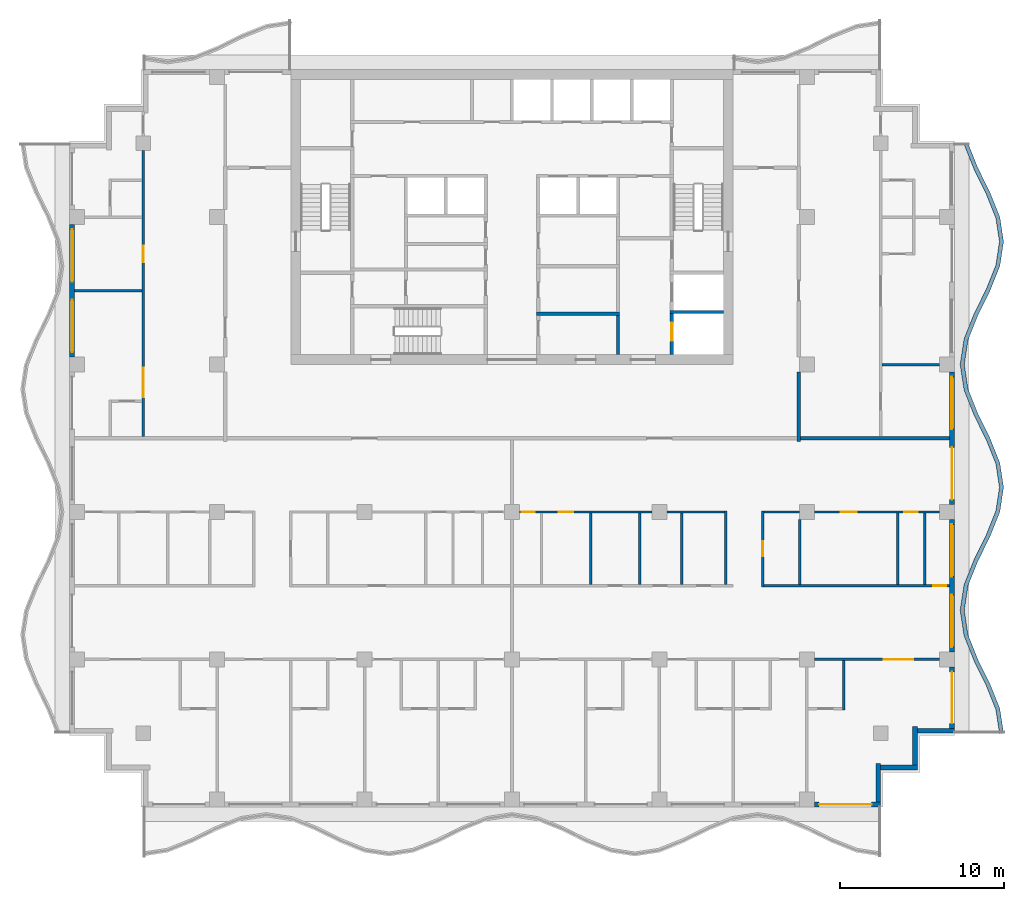
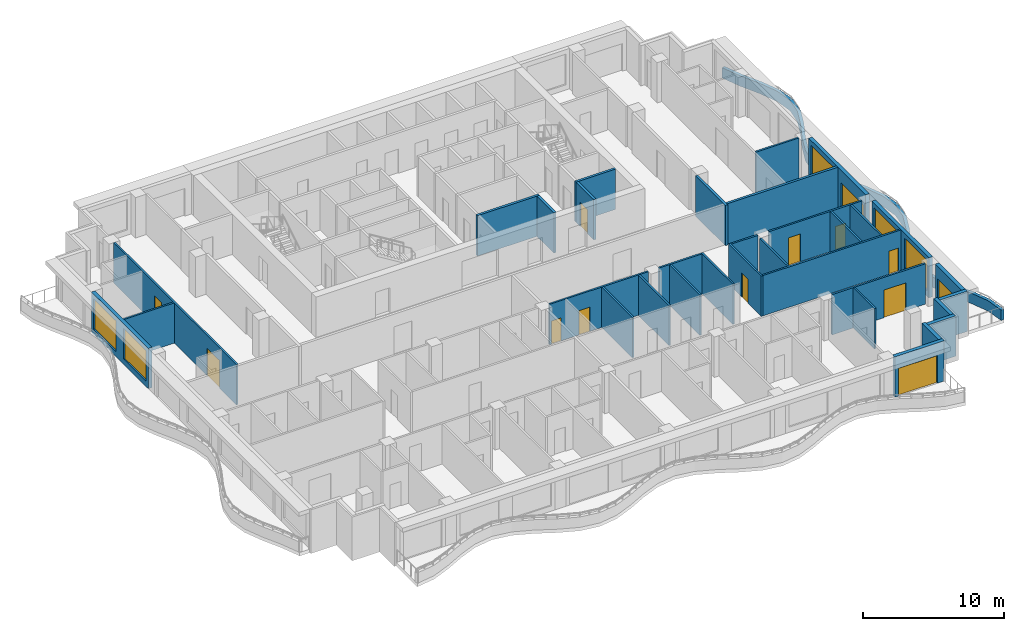
# One storey, part 4 of 11: 34 walls, 13 doors, 5 windows, 18 openings.
"""IFC4 building model written with IfcOpenShell, lengths in metres."""

from ifc_helpers import new_model, si_unit, direction, frame, frame_2d, origin, place, context, subcontext, project, spatial, polyline, rectangle, outline, extrude, material, layer, layer_set, type_object, element, fill, save


model = new_model("IFC4")

# Units and contexts
model_context = context("Model", 3, precision=1e-05, world=origin(), true_north=direction((0.0, 1.0)))
body_context = subcontext(model_context, "Body", "Model", "MODEL_VIEW")
ifc_project = project(units=[si_unit("LENGTHUNIT", "METRE"), si_unit("AREAUNIT", "SQUARE_METRE"), si_unit("VOLUMEUNIT", "CUBIC_METRE"), si_unit("PLANEANGLEUNIT", "RADIAN"), si_unit("MASSUNIT", "GRAM", prefix="KILO")], contexts=[model_context])

# Site, building, storey
site_placement = place(None, origin())
site = spatial("IfcSite", under=ifc_project, at=site_placement, CompositionType="ELEMENT")
building_placement = place(site_placement, origin())
building = spatial("IfcBuilding", under=site, at=building_placement, Name="Orbiselva Terraces", CompositionType="ELEMENT")
storey_placement = place(building_placement, frame((0.0, 0.0, 280.6)))
storey = spatial("IfcBuildingStorey", under=building, at=storey_placement, Name="L71", CompositionType="ELEMENT", Elevation=280.6)

# Walls
ifc_material_1 = material(Name="Concrete C60/75", Category="concrete")
ifc_layer_1 = layer(ifc_material_1, 0.2)
ifc_layer_set_1 = layer_set([ifc_layer_1], Name="Concrete C60/75")
wall_type_1 = type_object("IfcWallType", Name="CORE-WALL-SHEAR-200", PredefinedType="SHEAR", material=ifc_layer_set_1)
wall_1_placement = place(storey_placement, frame((1.5, 7.6, 0.0), z_axis=(0.0, 0.0, 1.0), x_axis=(1.0, 0.0, 0.0)))
element("IfcWall", 1, at=wall_1_placement, inside=storey, type_object=wall_type_1, Name="L71 core wall 28", PredefinedType="SHEAR", context=body_context, shape_type="SweptSolid", body=[
    extrude(rectangle(XDim=5.075, YDim=0.2, at=frame_2d((2.5375, 0.0))), origin(), (0.0, 0.0, 1.0), 3.5),
])
wall_2_placement = place(storey_placement, frame((6.475, 5.1, 0.0), z_axis=(0.0, 0.0, 1.0), x_axis=(0.0, 1.0, 0.0)))
element("IfcWall", 2, at=wall_2_placement, inside=storey, type_object=wall_type_1, Name="L71 core wall 38", PredefinedType="SHEAR", context=body_context, shape_type="SweptSolid", body=[
    extrude(rectangle(XDim=2.4, YDim=0.2, at=frame_2d((1.2, 0.0))), origin(), (0.0, 0.0, 1.0), 3.5),
])

# Wall, opening, door
wall_3_placement = place(storey_placement, frame((9.75, 5.1, 0.0), z_axis=(0.0, 0.0, 1.0), x_axis=(0.0, 1.0, 0.0)))
wall_3 = element("IfcWall", 3, at=wall_3_placement, inside=storey, type_object=wall_type_1, Name="L71 core wall 45", PredefinedType="SHEAR", context=body_context, shape_type="SweptSolid", body=[
    extrude(rectangle(XDim=2.5, YDim=0.2, at=frame_2d((1.25, 0.0))), origin(), (0.0, 0.0, 1.0), 3.5),
])
opening_1_placement = place(wall_3_placement, frame((0.85, 0.0, 0.0)))
opening_1 = element("IfcOpeningElement", 4, at=opening_1_placement, cuts=wall_3, Name="Opening LD-FF1", PredefinedType="OPENING", context=body_context, shape_type="SweptSolid", body=[
    extrude(rectangle(XDim=1.1, YDim=2.1, at=frame_2d((0.55, 1.05))), frame((0.0, 0.11, 0.0), z_axis=(0.0, -1.0, 0.0), x_axis=(1.0, 0.0, 0.0)), (0.0, 0.0, 1.0), 0.22),
])
ifc_material_2 = material(Name="Stainless steel landing door", Category="steel")
door_type_1 = type_object("IfcDoorType", Name="LANDING DOOR 1100", OperationType="SLIDING_TO_LEFT", PredefinedType="DOOR", material=ifc_material_2)
door_1_placement = place(opening_1_placement, origin())
door_1 = element("IfcDoor", 5, at=door_1_placement, inside=storey, type_object=door_type_1, Name="L71 landing door FF1", OperationType="SLIDING_TO_RIGHT", OverallHeight=2.1, OverallWidth=1.1, PredefinedType="DOOR", context=body_context, shape_type="SweptSolid", body=[
    extrude(rectangle(XDim=1.1, YDim=2.1, at=frame_2d((0.55, 1.05))), frame((0.0, 0.025, 0.0), z_axis=(0.0, -1.0, 0.0), x_axis=(1.0, 0.0, 0.0)), (0.0, 0.0, 1.0), 0.05),
])
fill(opening_1, door_1)

# Walls
wall_4_placement = place(storey_placement, frame((9.65, 7.7, 0.0), z_axis=(0.0, 0.0, 1.0), x_axis=(1.0, 0.0, 0.0)))
element("IfcWall", 6, at=wall_4_placement, inside=storey, type_object=wall_type_1, Name="L71 core wall 46", PredefinedType="SHEAR", context=body_context, shape_type="SweptSolid", body=[
    extrude(rectangle(XDim=3.25, YDim=0.2, at=frame_2d((1.625, 0.0))), origin(), (0.0, 0.0, 1.0), 3.5),
])
ifc_material_3 = material(Name="Concrete C40/50", Category="concrete")
ifc_layer_2 = layer(ifc_material_3, 0.25)
ifc_layer_set_2 = layer_set([ifc_layer_2], Name="Concrete C40/50")
wall_type_2 = type_object("IfcWallType", Name="ENV-PLANTER-250x900", PredefinedType="USERDEFINED", material=ifc_layer_set_2)
wall_5_placement = place(storey_placement, origin())
element("IfcWall", 7, at=wall_5_placement, inside=storey, type_object=wall_type_2, Name="Balcony planter L71 E", ObjectType="PLANTER", PredefinedType="USERDEFINED", context=body_context, shape_type="SweptSolid", body=[
    extrude(outline(polyline([(30.0, -18.0), (29.77082, -16.5), (29.17082, -15.0), (28.42918, -13.5), (27.82918, -12.0), (27.6, -10.5), (27.82918, -9.0), (28.42918, -7.5), (29.17082, -6.0), (29.77082, -4.5), (30.0, -3.0), (29.77082, -1.5), (29.17082, 0.0), (28.42918, 1.5), (27.82918, 3.0), (27.6, 4.5), (27.82918, 6.0), (28.42918, 7.5), (29.17082, 9.0), (29.77082, 10.5), (30.0, 12.0), (29.77082, 13.5), (29.17082, 15.0), (28.42918, 16.5), (27.82918, 18.0), (27.597061, 17.907152), (28.200715, 16.398017), (28.942355, 14.898017), (29.528028, 13.433834), (29.747099, 12.0), (29.528028, 10.566166), (28.942355, 9.101983), (28.200715, 7.601983), (27.586388, 6.066166), (27.347099, 4.5), (27.586388, 2.933834), (28.200715, 1.398017), (28.942355, -0.101983), (29.528028, -1.566166), (29.747099, -3.0), (29.528028, -4.433834), (28.942355, -5.898017), (28.200715, -7.398017), (27.586388, -8.933834), (27.347099, -10.5), (27.586388, -12.066166), (28.200715, -13.601983), (28.942355, -15.101983), (29.528028, -16.566166), (29.752868, -18.037758), (30.0, -18.0)])), origin(), (0.0, 0.0, 1.0), 0.9),
])

# Wall, opening, door
ifc_material_4 = material(Name="Terracotta cladding on masonry backing", Category="masonry")
ifc_layer_3 = layer(ifc_material_4, 0.3)
ifc_layer_set_3 = layer_set([ifc_layer_3], Name="Terracotta cladding on masonry backing")
wall_type_3 = type_object("IfcWallType", Name="ENV-WALL-TERRACOTTA-300", PredefinedType="SOLIDWALL", material=ifc_layer_set_3)
wall_6_placement = place(storey_placement, frame((22.5, -22.35, 0.0), z_axis=(0.0, 0.0, 1.0), x_axis=(-1.0, 0.0, 0.0)))
wall_6 = element("IfcWall", 8, at=wall_6_placement, inside=storey, type_object=wall_type_3, Name="Facade wall L71 S", PredefinedType="SOLIDWALL", context=body_context, shape_type="SweptSolid", body=[
    extrude(rectangle(XDim=4.05, YDim=0.3, at=frame_2d((2.025, 0.0))), origin(), (0.0, 0.0, 1.0), 3.5),
])
opening_2_placement = place(wall_6_placement, frame((0.55, 0.0, 0.0)))
opening_2 = element("IfcOpeningElement", 9, at=opening_2_placement, cuts=wall_6, Name="Opening Z5-D-E18", PredefinedType="OPENING", context=body_context, shape_type="SweptSolid", body=[
    extrude(rectangle(XDim=3.2, YDim=2.4, at=frame_2d((1.6, 1.2))), frame((0.0, 0.16, 0.0), z_axis=(0.0, -1.0, 0.0), x_axis=(1.0, 0.0, 0.0)), (0.0, 0.0, 1.0), 0.32),
])
ifc_material_5 = material(Name="Clear low-e glazing in aluminium frame", Category="aluminium")
door_type_2 = type_object("IfcDoorType", Name="BALCONY DOOR 3200 X 2400", OperationType="DOUBLE_DOOR_SLIDING", PredefinedType="DOOR", material=ifc_material_5)
door_2_placement = place(opening_2_placement, origin())
door_2 = element("IfcDoor", 10, at=door_2_placement, inside=storey, type_object=door_type_2, Name="Z5-D-E18", OperationType="SINGLE_SWING_LEFT", OverallHeight=2.4, OverallWidth=3.2, PredefinedType="DOOR", context=body_context, shape_type="SweptSolid", body=[
    extrude(rectangle(XDim=3.2, YDim=2.4, at=frame_2d((1.6, 1.2))), frame((0.0, 0.025, 0.0), z_axis=(0.0, -1.0, 0.0), x_axis=(1.0, 0.0, 0.0)), (0.0, 0.0, 1.0), 0.05),
])
fill(opening_2, door_2)

# Walls
wall_7_placement = place(storey_placement, frame((22.35, -19.85, 0.0), z_axis=(0.0, 0.0, 1.0), x_axis=(0.0, -1.0, 0.0)))
element("IfcWall", 11, at=wall_7_placement, inside=storey, type_object=wall_type_3, Name="Facade wall L71 STEP", PredefinedType="SOLIDWALL", context=body_context, shape_type="SweptSolid", body=[
    extrude(rectangle(XDim=2.35, YDim=0.3, at=frame_2d((1.175, 0.0))), origin(), (0.0, 0.0, 1.0), 3.5),
])
wall_8_placement = place(storey_placement, frame((24.75, -20.1, 0.0), z_axis=(0.0, 0.0, 1.0), x_axis=(-1.0, 0.0, 0.0)))
element("IfcWall", 12, at=wall_8_placement, inside=storey, type_object=wall_type_3, Name="Facade wall L71 STEP", PredefinedType="SOLIDWALL", context=body_context, shape_type="SweptSolid", body=[
    extrude(rectangle(XDim=2.25, YDim=0.3, at=frame_2d((1.125, 0.0))), origin(), (0.0, 0.0, 1.0), 3.5),
])
wall_9_placement = place(storey_placement, frame((24.6, -17.6, 0.0), z_axis=(0.0, 0.0, 1.0), x_axis=(0.0, -1.0, 0.0)))
element("IfcWall", 13, at=wall_9_placement, inside=storey, type_object=wall_type_3, Name="Facade wall L71 STEP", PredefinedType="SOLIDWALL", context=body_context, shape_type="SweptSolid", body=[
    extrude(rectangle(XDim=2.35, YDim=0.3, at=frame_2d((1.175, 0.0))), origin(), (0.0, 0.0, 1.0), 3.5),
])
wall_10_placement = place(storey_placement, frame((27.0, -17.85, 0.0), z_axis=(0.0, 0.0, 1.0), x_axis=(-1.0, 0.0, 0.0)))
element("IfcWall", 14, at=wall_10_placement, inside=storey, type_object=wall_type_3, Name="Facade wall L71 STEP", PredefinedType="SOLIDWALL", context=body_context, shape_type="SweptSolid", body=[
    extrude(rectangle(XDim=2.25, YDim=0.3, at=frame_2d((1.125, 0.0))), origin(), (0.0, 0.0, 1.0), 3.5),
])

# Wall, opening, door
wall_11_placement = place(storey_placement, frame((26.85, -13.95, 0.0), z_axis=(0.0, 0.0, 1.0), x_axis=(0.0, -1.0, 0.0)))
wall_11 = element("IfcWall", 15, at=wall_11_placement, inside=storey, type_object=wall_type_3, Name="Facade wall L71 E", PredefinedType="SOLIDWALL", context=body_context, shape_type="SweptSolid", body=[
    extrude(rectangle(XDim=3.75, YDim=0.3, at=frame_2d((1.875, 0.0))), origin(), (0.0, 0.0, 1.0), 3.5),
])
opening_3_placement = place(wall_11_placement, frame((0.3, 0.0, 0.0)))
opening_3 = element("IfcOpeningElement", 16, at=opening_3_placement, cuts=wall_11, Name="Opening Z5-D-E04", PredefinedType="OPENING", context=body_context, shape_type="SweptSolid", body=[
    extrude(rectangle(XDim=3.15, YDim=2.4, at=frame_2d((1.575, 1.2))), frame((0.0, 0.16, 0.0), z_axis=(0.0, -1.0, 0.0), x_axis=(1.0, 0.0, 0.0)), (0.0, 0.0, 1.0), 0.32),
])
door_type_3 = type_object("IfcDoorType", Name="BALCONY DOOR 3150 X 2400", OperationType="DOUBLE_DOOR_SLIDING", PredefinedType="DOOR", material=ifc_material_5)
door_3_placement = place(opening_3_placement, origin())
door_3 = element("IfcDoor", 17, at=door_3_placement, inside=storey, type_object=door_type_3, Name="Z5-D-E04", OperationType="SINGLE_SWING_LEFT", OverallHeight=2.4, OverallWidth=3.15, PredefinedType="DOOR", context=body_context, shape_type="SweptSolid", body=[
    extrude(rectangle(XDim=3.15, YDim=2.4, at=frame_2d((1.575, 1.2))), frame((0.0, 0.025, 0.0), z_axis=(0.0, -1.0, 0.0), x_axis=(1.0, 0.0, 0.0)), (0.0, 0.0, 1.0), 0.05),
])
fill(opening_3, door_3)

# Wall, openings, windows
wall_12_placement = place(storey_placement, frame((26.85, -4.95, 0.0), z_axis=(0.0, 0.0, 1.0), x_axis=(0.0, -1.0, 0.0)))
wall_12 = element("IfcWall", 18, at=wall_12_placement, inside=storey, type_object=wall_type_3, Name="Facade wall L71 E", PredefinedType="SOLIDWALL", context=body_context, shape_type="SweptSolid", body=[
    extrude(rectangle(XDim=8.1, YDim=0.3, at=frame_2d((4.05, 0.0))), origin(), (0.0, 0.0, 1.0), 3.5),
])
opening_4_placement = place(wall_12_placement, frame((4.6, 0.0, 0.45)))
opening_4 = element("IfcOpeningElement", 19, at=opening_4_placement, cuts=wall_12, Name="Opening WN17", PredefinedType="OPENING", context=body_context, shape_type="SweptSolid", body=[
    extrude(rectangle(XDim=3.2, YDim=2.65, at=frame_2d((1.6, 1.325))), frame((0.0, 0.16, 0.0), z_axis=(0.0, -1.0, 0.0), x_axis=(1.0, 0.0, 0.0)), (0.0, 0.0, 1.0), 0.32),
])
opening_5_placement = place(wall_12_placement, frame((0.3, 0.0, 0.45)))
opening_5 = element("IfcOpeningElement", 20, at=opening_5_placement, cuts=wall_12, Name="Opening WN17", PredefinedType="OPENING", context=body_context, shape_type="SweptSolid", body=[
    extrude(rectangle(XDim=3.2, YDim=2.65, at=frame_2d((1.6, 1.325))), frame((0.0, 0.16, 0.0), z_axis=(0.0, -1.0, 0.0), x_axis=(1.0, 0.0, 0.0)), (0.0, 0.0, 1.0), 0.32),
])
window_type = type_object("IfcWindowType", Name="WINDOW 3200 X 2650 S450", PartitioningType="TRIPLE_PANEL_VERTICAL", PredefinedType="WINDOW", material=ifc_material_5)
window_1_placement = place(opening_4_placement, origin())
window_1 = element("IfcWindow", 21, at=window_1_placement, inside=storey, type_object=window_type, Name="Window L71 E", OverallHeight=2.65, OverallWidth=3.2, PartitioningType="SINGLE_PANEL", PredefinedType="WINDOW", context=body_context, shape_type="SweptSolid", body=[
    extrude(rectangle(XDim=3.2, YDim=2.65, at=frame_2d((1.6, 1.325))), frame((0.0, 0.03, 0.0), z_axis=(0.0, -1.0, 0.0), x_axis=(1.0, 0.0, 0.0)), (0.0, 0.0, 1.0), 0.06),
])
fill(opening_4, window_1)
window_2_placement = place(opening_5_placement, origin())
window_2 = element("IfcWindow", 22, at=window_2_placement, inside=storey, type_object=window_type, Name="Window L71 E", OverallHeight=2.65, OverallWidth=3.2, PartitioningType="SINGLE_PANEL", PredefinedType="WINDOW", context=body_context, shape_type="SweptSolid", body=[
    extrude(rectangle(XDim=3.2, YDim=2.65, at=frame_2d((1.6, 1.325))), frame((0.0, 0.03, 0.0), z_axis=(0.0, -1.0, 0.0), x_axis=(1.0, 0.0, 0.0)), (0.0, 0.0, 1.0), 0.06),
])
fill(opening_5, window_2)

# Wall, openings, door, window
wall_13_placement = place(storey_placement, frame((26.85, 4.05, 0.0), z_axis=(0.0, 0.0, 1.0), x_axis=(0.0, -1.0, 0.0)))
wall_13 = element("IfcWall", 23, at=wall_13_placement, inside=storey, type_object=wall_type_3, Name="Facade wall L71 E", PredefinedType="SOLIDWALL", context=body_context, shape_type="SweptSolid", body=[
    extrude(rectangle(XDim=8.1, YDim=0.3, at=frame_2d((4.05, 0.0))), origin(), (0.0, 0.0, 1.0), 3.5),
])
opening_6_placement = place(wall_13_placement, frame((4.6, 0.0, 0.0)))
opening_6 = element("IfcOpeningElement", 24, at=opening_6_placement, cuts=wall_13, Name="Opening Z5-D-E14", PredefinedType="OPENING", context=body_context, shape_type="SweptSolid", body=[
    extrude(rectangle(XDim=3.2, YDim=2.4, at=frame_2d((1.6, 1.2))), frame((0.0, 0.16, 0.0), z_axis=(0.0, -1.0, 0.0), x_axis=(1.0, 0.0, 0.0)), (0.0, 0.0, 1.0), 0.32),
])
opening_7_placement = place(wall_13_placement, frame((0.3, 0.0, 0.45)))
opening_7 = element("IfcOpeningElement", 25, at=opening_7_placement, cuts=wall_13, Name="Opening WN17", PredefinedType="OPENING", context=body_context, shape_type="SweptSolid", body=[
    extrude(rectangle(XDim=3.2, YDim=2.65, at=frame_2d((1.6, 1.325))), frame((0.0, 0.16, 0.0), z_axis=(0.0, -1.0, 0.0), x_axis=(1.0, 0.0, 0.0)), (0.0, 0.0, 1.0), 0.32),
])
door_4_placement = place(opening_6_placement, origin())
door_4 = element("IfcDoor", 26, at=door_4_placement, inside=storey, type_object=door_type_2, Name="Z5-D-E14", OperationType="SINGLE_SWING_LEFT", OverallHeight=2.4, OverallWidth=3.2, PredefinedType="DOOR", context=body_context, shape_type="SweptSolid", body=[
    extrude(rectangle(XDim=3.2, YDim=2.4, at=frame_2d((1.6, 1.2))), frame((0.0, 0.025, 0.0), z_axis=(0.0, -1.0, 0.0), x_axis=(1.0, 0.0, 0.0)), (0.0, 0.0, 1.0), 0.05),
])
fill(opening_6, door_4)
window_3_placement = place(opening_7_placement, origin())
window_3 = element("IfcWindow", 27, at=window_3_placement, inside=storey, type_object=window_type, Name="Window L71 E", OverallHeight=2.65, OverallWidth=3.2, PartitioningType="SINGLE_PANEL", PredefinedType="WINDOW", context=body_context, shape_type="SweptSolid", body=[
    extrude(rectangle(XDim=3.2, YDim=2.65, at=frame_2d((1.6, 1.325))), frame((0.0, 0.03, 0.0), z_axis=(0.0, -1.0, 0.0), x_axis=(1.0, 0.0, 0.0)), (0.0, 0.0, 1.0), 0.06),
])
fill(opening_7, window_3)

# Wall, openings, windows
wall_14_placement = place(storey_placement, frame((-26.85, 4.95, 0.0), z_axis=(0.0, 0.0, 1.0), x_axis=(0.0, 1.0, 0.0)))
wall_14 = element("IfcWall", 28, at=wall_14_placement, inside=storey, type_object=wall_type_3, Name="Facade wall L71 W", PredefinedType="SOLIDWALL", context=body_context, shape_type="SweptSolid", body=[
    extrude(rectangle(XDim=8.1, YDim=0.3, at=frame_2d((4.05, 0.0))), origin(), (0.0, 0.0, 1.0), 3.5),
])
opening_8_placement = place(wall_14_placement, frame((4.6, 0.0, 0.45)))
opening_8 = element("IfcOpeningElement", 29, at=opening_8_placement, cuts=wall_14, Name="Opening WN17", PredefinedType="OPENING", context=body_context, shape_type="SweptSolid", body=[
    extrude(rectangle(XDim=3.2, YDim=2.65, at=frame_2d((1.6, 1.325))), frame((0.0, 0.16, 0.0), z_axis=(0.0, -1.0, 0.0), x_axis=(1.0, 0.0, 0.0)), (0.0, 0.0, 1.0), 0.32),
])
opening_9_placement = place(wall_14_placement, frame((0.3, 0.0, 0.45)))
opening_9 = element("IfcOpeningElement", 30, at=opening_9_placement, cuts=wall_14, Name="Opening WN17", PredefinedType="OPENING", context=body_context, shape_type="SweptSolid", body=[
    extrude(rectangle(XDim=3.2, YDim=2.65, at=frame_2d((1.6, 1.325))), frame((0.0, 0.16, 0.0), z_axis=(0.0, -1.0, 0.0), x_axis=(1.0, 0.0, 0.0)), (0.0, 0.0, 1.0), 0.32),
])
window_4_placement = place(opening_8_placement, origin())
window_4 = element("IfcWindow", 31, at=window_4_placement, inside=storey, type_object=window_type, Name="Window L71 W", OverallHeight=2.65, OverallWidth=3.2, PartitioningType="SINGLE_PANEL", PredefinedType="WINDOW", context=body_context, shape_type="SweptSolid", body=[
    extrude(rectangle(XDim=3.2, YDim=2.65, at=frame_2d((1.6, 1.325))), frame((0.0, 0.03, 0.0), z_axis=(0.0, -1.0, 0.0), x_axis=(1.0, 0.0, 0.0)), (0.0, 0.0, 1.0), 0.06),
])
fill(opening_8, window_4)
window_5_placement = place(opening_9_placement, origin())
window_5 = element("IfcWindow", 32, at=window_5_placement, inside=storey, type_object=window_type, Name="Window L71 W", OverallHeight=2.65, OverallWidth=3.2, PartitioningType="SINGLE_PANEL", PredefinedType="WINDOW", context=body_context, shape_type="SweptSolid", body=[
    extrude(rectangle(XDim=3.2, YDim=2.65, at=frame_2d((1.6, 1.325))), frame((0.0, 0.03, 0.0), z_axis=(0.0, -1.0, 0.0), x_axis=(1.0, 0.0, 0.0)), (0.0, 0.0, 1.0), 0.06),
])
fill(opening_9, window_5)

# Wall
ifc_material_6 = material(Name="Plasterboard on steel stud partition", Category="steel")
ifc_layer_4 = layer(ifc_material_6, 0.2)
ifc_layer_set_4 = layer_set([ifc_layer_4], Name="Plasterboard on steel stud partition")
wall_type_4 = type_object("IfcWallType", Name="UNIT-ENTRANCE-WALL-200", PredefinedType="PARTITIONING", material=ifc_layer_set_4)
wall_15_placement = place(storey_placement, frame((17.5, -0.2, 0.0), z_axis=(0.0, 0.0, 1.0), x_axis=(0.0, 1.0, 0.0)))
element("IfcWall", 33, at=wall_15_placement, inside=storey, type_object=wall_type_4, Name="PARTITION L71-081", PredefinedType="PARTITIONING", context=body_context, shape_type="SweptSolid", body=[
    extrude(rectangle(XDim=4.25, YDim=0.2, at=frame_2d((2.125, 0.0))), origin(), (0.0, 0.0, 1.0), 3.5),
])

# Wall, opening, door
ifc_layer_5 = layer(ifc_material_6, 0.15)
ifc_layer_set_5 = layer_set([ifc_layer_5], Name="Plasterboard on steel stud partition")
wall_type_5 = type_object("IfcWallType", Name="UNIT-PARTITION-150", PredefinedType="PARTITIONING", material=ifc_layer_set_5)
wall_16_placement = place(storey_placement, frame((26.1, -13.5, 0.0), z_axis=(0.0, 0.0, 1.0), x_axis=(-1.0, 0.0, 0.0)))
wall_16 = element("IfcWall", 34, at=wall_16_placement, inside=storey, type_object=wall_type_5, Name="PARTITION L71-014", PredefinedType="PARTITIONING", context=body_context, shape_type="SweptSolid", body=[
    extrude(rectangle(XDim=7.65, YDim=0.15, at=frame_2d((3.825, 0.0))), origin(), (0.0, 0.0, 1.0), 3.5),
])
opening_10_placement = place(wall_16_placement, frame((1.6, 0.0, 0.0)))
opening_10 = element("IfcOpeningElement", 35, at=opening_10_placement, cuts=wall_16, Name="Opening Z5-D-44", PredefinedType="OPENING", context=body_context, shape_type="SweptSolid", body=[
    extrude(rectangle(XDim=1.8, YDim=2.4, at=frame_2d((0.9, 1.2))), frame((0.0, 0.085, 0.0), z_axis=(0.0, -1.0, 0.0), x_axis=(1.0, 0.0, 0.0)), (0.0, 0.0, 1.0), 0.17),
])
ifc_material_7 = material(Name="Painted timber door leaf", Category="wood")
door_type_4 = type_object("IfcDoorType", Name="DOUBLE DOOR 1800", OperationType="NOTDEFINED", PredefinedType="DOOR", material=ifc_material_7)
door_5_placement = place(opening_10_placement, origin())
door_5 = element("IfcDoor", 36, at=door_5_placement, inside=storey, type_object=door_type_4, Name="Z5-D-44", OperationType="DOUBLE_DOOR_SINGLE_SWING", OverallHeight=2.4, OverallWidth=1.8, PredefinedType="DOOR", context=body_context, shape_type="SweptSolid", body=[
    extrude(rectangle(XDim=1.8, YDim=2.4, at=frame_2d((0.9, 1.2))), frame((0.0, 0.025, 0.0), z_axis=(0.0, -1.0, 0.0), x_axis=(1.0, 0.0, 0.0)), (0.0, 0.0, 1.0), 0.05),
])
fill(opening_10, door_5)

wall_17_placement = place(storey_placement, frame((15.375, -9.0, 0.0), z_axis=(0.0, 0.0, 1.0), x_axis=(1.0, 0.0, 0.0)))
wall_17 = element("IfcWall", 37, at=wall_17_placement, inside=storey, type_object=wall_type_5, Name="PARTITION L71-018", PredefinedType="PARTITIONING", context=body_context, shape_type="SweptSolid", body=[
    extrude(rectangle(XDim=11.325, YDim=0.15, at=frame_2d((5.6625, 0.0))), origin(), (0.0, 0.0, 1.0), 3.5),
])
opening_11_placement = place(wall_17_placement, frame((10.325, 0.0, 0.0)))
opening_11 = element("IfcOpeningElement", 38, at=opening_11_placement, cuts=wall_17, Name="Opening Z5-D-35", PredefinedType="OPENING", context=body_context, shape_type="SweptSolid", body=[
    extrude(rectangle(XDim=0.8, YDim=2.0, at=frame_2d((0.4, 1.0))), frame((0.0, 0.085, 0.0), z_axis=(0.0, -1.0, 0.0), x_axis=(1.0, 0.0, 0.0)), (0.0, 0.0, 1.0), 0.17),
])
door_type_5 = type_object("IfcDoorType", Name="STORE DOOR 800", OperationType="NOTDEFINED", PredefinedType="DOOR", material=ifc_material_7)
door_6_placement = place(opening_11_placement, origin())
door_6 = element("IfcDoor", 39, at=door_6_placement, inside=storey, type_object=door_type_5, Name="Z5-D-35", OperationType="SINGLE_SWING_RIGHT", OverallHeight=2.0, OverallWidth=0.8, PredefinedType="DOOR", context=body_context, shape_type="SweptSolid", body=[
    extrude(rectangle(XDim=0.8, YDim=2.0, at=frame_2d((0.4, 1.0))), frame((0.0, 0.025, 0.0), z_axis=(0.0, -1.0, 0.0), x_axis=(1.0, 0.0, 0.0)), (0.0, 0.0, 1.0), 0.05),
])
fill(opening_11, door_6)

# Wall, openings, doors
wall_18_placement = place(storey_placement, frame((8.55, -4.5, 0.0), z_axis=(0.0, 0.0, 1.0), x_axis=(-1.0, 0.0, 0.0)))
wall_18 = element("IfcWall", 40, at=wall_18_placement, inside=storey, type_object=wall_type_5, Name="PARTITION L71-023", PredefinedType="PARTITIONING", context=body_context, shape_type="SweptSolid", body=[
    extrude(rectangle(XDim=8.1, YDim=0.15, at=frame_2d((4.05, 0.0))), origin(), (0.0, 0.0, 1.0), 3.5),
])
opening_12_placement = place(wall_18_placement, frame((4.8, 0.0, 0.0)))
opening_12 = element("IfcOpeningElement", 41, at=opening_12_placement, cuts=wall_18, Name="Opening Z5-D-42", PredefinedType="OPENING", context=body_context, shape_type="SweptSolid", body=[
    extrude(rectangle(XDim=0.9, YDim=2.1, at=frame_2d((0.45, 1.05))), frame((0.0, 0.085, 0.0), z_axis=(0.0, -1.0, 0.0), x_axis=(1.0, 0.0, 0.0)), (0.0, 0.0, 1.0), 0.17),
])
opening_13_placement = place(wall_18_placement, frame((7.15, 0.0, 0.0)))
opening_13 = element("IfcOpeningElement", 42, at=opening_13_placement, cuts=wall_18, Name="Opening Z5-D-43", PredefinedType="OPENING", context=body_context, shape_type="SweptSolid", body=[
    extrude(rectangle(XDim=0.8, YDim=2.0, at=frame_2d((0.4, 1.0))), frame((0.0, 0.085, 0.0), z_axis=(0.0, -1.0, 0.0), x_axis=(1.0, 0.0, 0.0)), (0.0, 0.0, 1.0), 0.17),
])
door_type_6 = type_object("IfcDoorType", Name="SERVICE DOOR 900", OperationType="NOTDEFINED", PredefinedType="DOOR", material=ifc_material_7)
door_7_placement = place(opening_12_placement, origin())
door_7 = element("IfcDoor", 43, at=door_7_placement, inside=storey, type_object=door_type_6, Name="Z5-D-42", OperationType="SINGLE_SWING_RIGHT", OverallHeight=2.1, OverallWidth=0.9, PredefinedType="DOOR", context=body_context, shape_type="SweptSolid", body=[
    extrude(rectangle(XDim=0.9, YDim=2.1, at=frame_2d((0.45, 1.05))), frame((0.0, 0.025, 0.0), z_axis=(0.0, -1.0, 0.0), x_axis=(1.0, 0.0, 0.0)), (0.0, 0.0, 1.0), 0.05),
])
fill(opening_12, door_7)
door_8_placement = place(opening_13_placement, origin())
door_8 = element("IfcDoor", 44, at=door_8_placement, inside=storey, type_object=door_type_5, Name="Z5-D-43", OperationType="SINGLE_SWING_RIGHT", OverallHeight=2.0, OverallWidth=0.8, PredefinedType="DOOR", context=body_context, shape_type="SweptSolid", body=[
    extrude(rectangle(XDim=0.8, YDim=2.0, at=frame_2d((0.4, 1.0))), frame((0.0, 0.025, 0.0), z_axis=(0.0, -1.0, 0.0), x_axis=(1.0, 0.0, 0.0)), (0.0, 0.0, 1.0), 0.05),
])
fill(opening_13, door_8)

# Walls
wall_19_placement = place(storey_placement, frame((9.45, -4.5, 0.0), z_axis=(0.0, 0.0, 1.0), x_axis=(1.0, 0.0, 0.0)))
element("IfcWall", 45, at=wall_19_placement, inside=storey, type_object=wall_type_5, Name="PARTITION L71-024", PredefinedType="PARTITIONING", context=body_context, shape_type="SweptSolid", body=[
    extrude(rectangle(XDim=3.525, YDim=0.15, at=frame_2d((1.7625, 0.0))), origin(), (0.0, 0.0, 1.0), 3.5),
])
wall_20_placement = place(storey_placement, frame((15.375, -4.5, 0.0), z_axis=(0.0, 0.0, 1.0), x_axis=(1.0, 0.0, 0.0)))
element("IfcWall", 46, at=wall_20_placement, inside=storey, type_object=wall_type_5, Name="PARTITION L71-025", PredefinedType="PARTITIONING", context=body_context, shape_type="SweptSolid", body=[
    extrude(rectangle(XDim=2.175, YDim=0.15, at=frame_2d((1.0875, 0.0))), origin(), (0.0, 0.0, 1.0), 3.5),
])

# Wall, openings, doors
wall_21_placement = place(storey_placement, frame((26.1, -4.5, 0.0), z_axis=(0.0, 0.0, 1.0), x_axis=(-1.0, 0.0, 0.0)))
wall_21 = element("IfcWall", 47, at=wall_21_placement, inside=storey, type_object=wall_type_5, Name="PARTITION L71-026", PredefinedType="PARTITIONING", context=body_context, shape_type="SweptSolid", body=[
    extrude(rectangle(XDim=7.65, YDim=0.15, at=frame_2d((3.825, 0.0))), origin(), (0.0, 0.0, 1.0), 3.5),
])
opening_14_placement = place(wall_21_placement, frame((1.35, 0.0, 0.0)))
opening_14 = element("IfcOpeningElement", 48, at=opening_14_placement, cuts=wall_21, Name="Opening Z5-D-36", PredefinedType="OPENING", context=body_context, shape_type="SweptSolid", body=[
    extrude(rectangle(XDim=0.8, YDim=2.0, at=frame_2d((0.4, 1.0))), frame((0.0, 0.085, 0.0), z_axis=(0.0, -1.0, 0.0), x_axis=(1.0, 0.0, 0.0)), (0.0, 0.0, 1.0), 0.17),
])
opening_15_placement = place(wall_21_placement, frame((5.05, 0.0, 0.0)))
opening_15 = element("IfcOpeningElement", 49, at=opening_15_placement, cuts=wall_21, Name="Opening Z5-D-37", PredefinedType="OPENING", context=body_context, shape_type="SweptSolid", body=[
    extrude(rectangle(XDim=1.0, YDim=2.4, at=frame_2d((0.5, 1.2))), frame((0.0, 0.085, 0.0), z_axis=(0.0, -1.0, 0.0), x_axis=(1.0, 0.0, 0.0)), (0.0, 0.0, 1.0), 0.17),
])
door_type_7 = type_object("IfcDoorType", Name="ROOM DOOR 1000", OperationType="NOTDEFINED", PredefinedType="DOOR", material=ifc_material_7)
door_9_placement = place(opening_15_placement, origin())
door_9 = element("IfcDoor", 50, at=door_9_placement, inside=storey, type_object=door_type_7, Name="Z5-D-37", OperationType="SINGLE_SWING_RIGHT", OverallHeight=2.4, OverallWidth=1.0, PredefinedType="DOOR", context=body_context, shape_type="SweptSolid", body=[
    extrude(rectangle(XDim=1.0, YDim=2.4, at=frame_2d((0.5, 1.2))), frame((0.0, 0.025, 0.0), z_axis=(0.0, -1.0, 0.0), x_axis=(1.0, 0.0, 0.0)), (0.0, 0.0, 1.0), 0.05),
])
fill(opening_15, door_9)
door_10_placement = place(opening_14_placement, origin())
door_10 = element("IfcDoor", 51, at=door_10_placement, inside=storey, type_object=door_type_5, Name="Z5-D-36", OperationType="SINGLE_SWING_LEFT", OverallHeight=2.0, OverallWidth=0.8, PredefinedType="DOOR", context=body_context, shape_type="SweptSolid", body=[
    extrude(rectangle(XDim=0.8, YDim=2.0, at=frame_2d((0.4, 1.0))), frame((0.0, 0.025, 0.0), z_axis=(0.0, -1.0, 0.0), x_axis=(1.0, 0.0, 0.0)), (0.0, 0.0, 1.0), 0.05),
])
fill(opening_14, door_10)

# Walls
wall_22_placement = place(storey_placement, frame((22.575, 4.5, 0.0), z_axis=(0.0, 0.0, 1.0), x_axis=(1.0, 0.0, 0.0)))
element("IfcWall", 52, at=wall_22_placement, inside=storey, type_object=wall_type_5, Name="PARTITION L71-031", PredefinedType="PARTITIONING", context=body_context, shape_type="SweptSolid", body=[
    extrude(rectangle(XDim=3.525, YDim=0.15, at=frame_2d((1.7625, 0.0))), origin(), (0.0, 0.0, 1.0), 3.5),
])
wall_23_placement = place(storey_placement, frame((-26.7, 9.0, 0.0), z_axis=(0.0, 0.0, 1.0), x_axis=(1.0, 0.0, 0.0)))
element("IfcWall", 53, at=wall_23_placement, inside=storey, type_object=wall_type_5, Name="PARTITION L71-032", PredefinedType="PARTITIONING", context=body_context, shape_type="SweptSolid", body=[
    extrude(rectangle(XDim=4.125, YDim=0.15, at=frame_2d((2.0625, 0.0))), origin(), (0.0, 0.0, 1.0), 3.5),
])

# Wall, openings, doors
wall_24_placement = place(storey_placement, frame((-22.5, 0.1, 0.0), z_axis=(0.0, 0.0, 1.0), x_axis=(0.0, 1.0, 0.0)))
wall_24 = element("IfcWall", 54, at=wall_24_placement, inside=storey, type_object=wall_type_5, Name="PARTITION L71-044", PredefinedType="PARTITIONING", context=body_context, shape_type="SweptSolid", body=[
    extrude(rectangle(XDim=17.45, YDim=0.15, at=frame_2d((8.725, 0.0))), origin(), (0.0, 0.0, 1.0), 3.5),
])
opening_16_placement = place(wall_24_placement, frame((2.4, 0.0, 0.0)))
opening_16 = element("IfcOpeningElement", 55, at=opening_16_placement, cuts=wall_24, Name="Opening Z5-D-04", PredefinedType="OPENING", context=body_context, shape_type="SweptSolid", body=[
    extrude(rectangle(XDim=1.8, YDim=2.4, at=frame_2d((0.9, 1.2))), frame((0.0, 0.085, 0.0), z_axis=(0.0, -1.0, 0.0), x_axis=(1.0, 0.0, 0.0)), (0.0, 0.0, 1.0), 0.17),
])
opening_17_placement = place(wall_24_placement, frame((10.65, 0.0, 0.0)))
opening_17 = element("IfcOpeningElement", 56, at=opening_17_placement, cuts=wall_24, Name="Opening Z5-D-06", PredefinedType="OPENING", context=body_context, shape_type="SweptSolid", body=[
    extrude(rectangle(XDim=1.0, YDim=2.4, at=frame_2d((0.5, 1.2))), frame((0.0, 0.085, 0.0), z_axis=(0.0, -1.0, 0.0), x_axis=(1.0, 0.0, 0.0)), (0.0, 0.0, 1.0), 0.17),
])
door_11_placement = place(opening_16_placement, origin())
door_11 = element("IfcDoor", 57, at=door_11_placement, inside=storey, type_object=door_type_4, Name="Z5-D-04", OperationType="DOUBLE_DOOR_SINGLE_SWING", OverallHeight=2.4, OverallWidth=1.8, PredefinedType="DOOR", context=body_context, shape_type="SweptSolid", body=[
    extrude(rectangle(XDim=1.8, YDim=2.4, at=frame_2d((0.9, 1.2))), frame((0.0, 0.025, 0.0), z_axis=(0.0, -1.0, 0.0), x_axis=(1.0, 0.0, 0.0)), (0.0, 0.0, 1.0), 0.05),
])
fill(opening_16, door_11)
door_12_placement = place(opening_17_placement, origin())
door_12 = element("IfcDoor", 58, at=door_12_placement, inside=storey, type_object=door_type_7, Name="Z5-D-06", OperationType="SINGLE_SWING_RIGHT", OverallHeight=2.4, OverallWidth=1.0, PredefinedType="DOOR", context=body_context, shape_type="SweptSolid", body=[
    extrude(rectangle(XDim=1.0, YDim=2.4, at=frame_2d((0.5, 1.2))), frame((0.0, 0.025, 0.0), z_axis=(0.0, -1.0, 0.0), x_axis=(1.0, 0.0, 0.0)), (0.0, 0.0, 1.0), 0.05),
])
fill(opening_17, door_12)

# Walls
for number, where, z_axis, x_axis, name in (
    (59, (4.8, -8.925, 0.0), (0.0, 0.0, 1.0), (0.0, 1.0, 0.0), "PARTITION L71-071"),
    (60, (7.8, -8.925, 0.0), (0.0, 0.0, 1.0), (0.0, 1.0, 0.0), "PARTITION L71-073"),
    (61, (10.35, -8.925, 0.0), (0.0, 0.0, 1.0), (0.0, 1.0, 0.0), "PARTITION L71-075"),
):
    element("IfcWall", number, at=place(storey_placement, frame(where, z_axis=z_axis, x_axis=x_axis)), inside=storey, type_object=wall_type_5, Name=name, PredefinedType="PARTITIONING", context=body_context, shape_type="SweptSolid", body=[
        extrude(rectangle(XDim=4.35, YDim=0.15, at=frame_2d((2.175, 0.0))), origin(), (0.0, 0.0, 1.0), 3.5),
    ])
wall_25_placement = place(storey_placement, frame((13.05, -8.925, 0.0), z_axis=(0.0, 0.0, 1.0), x_axis=(0.0, 1.0, 0.0)))
element("IfcWall", 62, at=wall_25_placement, inside=storey, type_object=wall_type_5, Name="PARTITION L71-077", PredefinedType="PARTITIONING", context=body_context, shape_type="SweptSolid", body=[
    extrude(rectangle(XDim=4.5, YDim=0.15, at=frame_2d((2.25, 0.0))), origin(), (0.0, 0.0, 1.0), 3.5),
])

# Wall, opening, door
wall_26_placement = place(storey_placement, frame((15.3, -4.425, 0.0), z_axis=(0.0, 0.0, 1.0), x_axis=(0.0, -1.0, 0.0)))
wall_26 = element("IfcWall", 63, at=wall_26_placement, inside=storey, type_object=wall_type_5, Name="PARTITION L71-079", PredefinedType="PARTITIONING", context=body_context, shape_type="SweptSolid", body=[
    extrude(rectangle(XDim=4.65, YDim=0.15, at=frame_2d((2.325, 0.0))), origin(), (0.0, 0.0, 1.0), 3.5),
])
opening_18_placement = place(wall_26_placement, frame((1.875, 0.0, 0.0)))
opening_18 = element("IfcOpeningElement", 64, at=opening_18_placement, cuts=wall_26, Name="Opening Z5-D-38", PredefinedType="OPENING", context=body_context, shape_type="SweptSolid", body=[
    extrude(rectangle(XDim=0.9, YDim=2.1, at=frame_2d((0.45, 1.05))), frame((0.0, 0.085, 0.0), z_axis=(0.0, -1.0, 0.0), x_axis=(1.0, 0.0, 0.0)), (0.0, 0.0, 1.0), 0.17),
])
door_type_8 = type_object("IfcDoorType", Name="BATH DOOR 900", OperationType="NOTDEFINED", PredefinedType="DOOR", material=ifc_material_7)
door_13_placement = place(opening_18_placement, origin())
door_13 = element("IfcDoor", 65, at=door_13_placement, inside=storey, type_object=door_type_8, Name="Z5-D-38", OperationType="SINGLE_SWING_RIGHT", OverallHeight=2.1, OverallWidth=0.9, PredefinedType="DOOR", context=body_context, shape_type="SweptSolid", body=[
    extrude(rectangle(XDim=0.9, YDim=2.1, at=frame_2d((0.45, 1.05))), frame((0.0, 0.025, 0.0), z_axis=(0.0, -1.0, 0.0), x_axis=(1.0, 0.0, 0.0)), (0.0, 0.0, 1.0), 0.05),
])
fill(opening_18, door_13)

# Walls
wall_27_placement = place(storey_placement, frame((17.55, -8.925, 0.0), z_axis=(0.0, 0.0, 1.0), x_axis=(0.0, 1.0, 0.0)))
element("IfcWall", 66, at=wall_27_placement, inside=storey, type_object=wall_type_5, Name="PARTITION L71-085", PredefinedType="PARTITIONING", context=body_context, shape_type="SweptSolid", body=[
    extrude(rectangle(XDim=3.975, YDim=0.15, at=frame_2d((1.9875, 0.0))), origin(), (0.0, 0.0, 1.0), 3.5),
])
wall_28_placement = place(storey_placement, frame((20.25, -16.575, 0.0), z_axis=(0.0, 0.0, 1.0), x_axis=(0.0, 1.0, 0.0)))
element("IfcWall", 67, at=wall_28_placement, inside=storey, type_object=wall_type_5, Name="PARTITION L71-087", PredefinedType="PARTITIONING", context=body_context, shape_type="SweptSolid", body=[
    extrude(rectangle(XDim=3.0, YDim=0.15, at=frame_2d((1.5, 0.0))), origin(), (0.0, 0.0, 1.0), 3.5),
])
for number, where, z_axis, x_axis, name in (
    (68, (23.55, -8.925, 0.0), (0.0, 0.0, 1.0), (0.0, 1.0, 0.0), "PARTITION L71-090"),
    (69, (25.2, -8.925, 0.0), (0.0, 0.0, 1.0), (0.0, 1.0, 0.0), "PARTITION L71-092"),
):
    element("IfcWall", number, at=place(storey_placement, frame(where, z_axis=z_axis, x_axis=x_axis)), inside=storey, type_object=wall_type_5, Name=name, PredefinedType="PARTITIONING", context=body_context, shape_type="SweptSolid", body=[
        extrude(rectangle(XDim=4.35, YDim=0.15, at=frame_2d((2.175, 0.0))), origin(), (0.0, 0.0, 1.0), 3.5),
    ])
ifc_layer_6 = layer(ifc_material_6, 0.2)
ifc_layer_set_6 = layer_set([ifc_layer_6], Name="Plasterboard on steel stud partition")
wall_type_6 = type_object("IfcWallType", Name="UNIT-PARTY-WALL-200", PredefinedType="PARTITIONING", material=ifc_layer_set_6)
wall_29_placement = place(storey_placement, frame((17.6, 0.0, 0.0), z_axis=(0.0, 0.0, 1.0), x_axis=(1.0, 0.0, 0.0)))
element("IfcWall", 70, at=wall_29_placement, inside=storey, type_object=wall_type_6, Name="PARTITION L71-029", PredefinedType="PARTITIONING", context=body_context, shape_type="SweptSolid", body=[
    extrude(rectangle(XDim=9.1, YDim=0.2, at=frame_2d((4.55, 0.0))), origin(), (0.0, 0.0, 1.0), 3.5),
])

save(model, "model.ifc")
